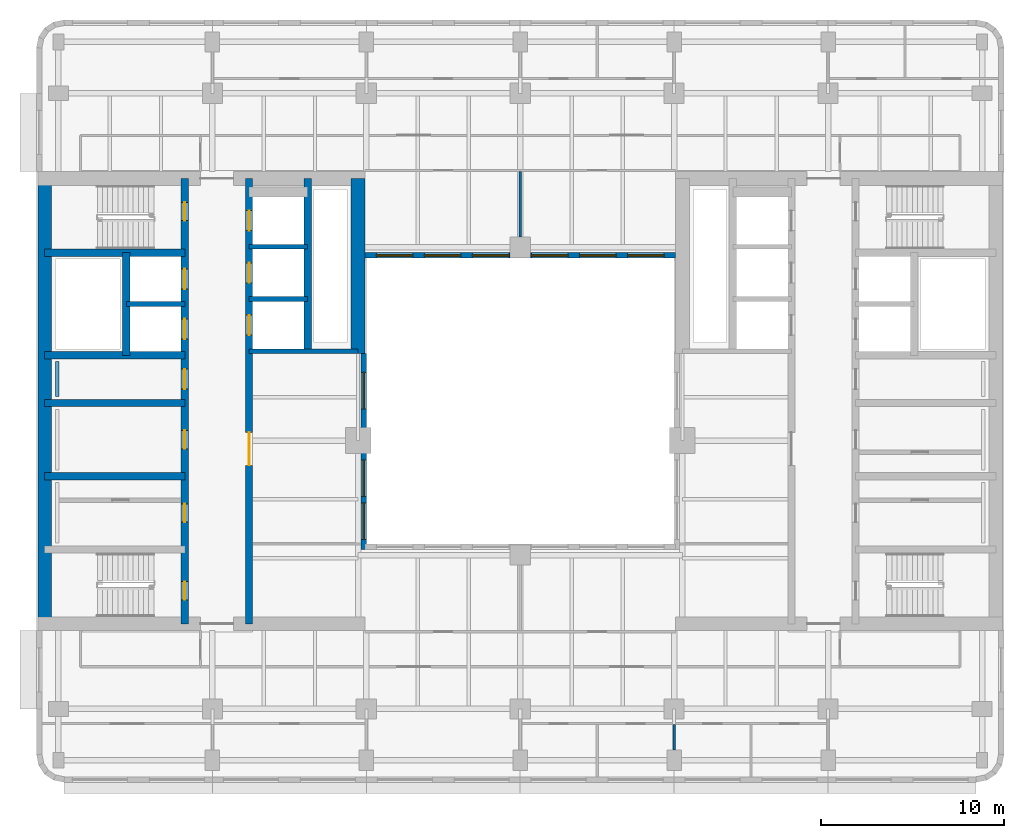
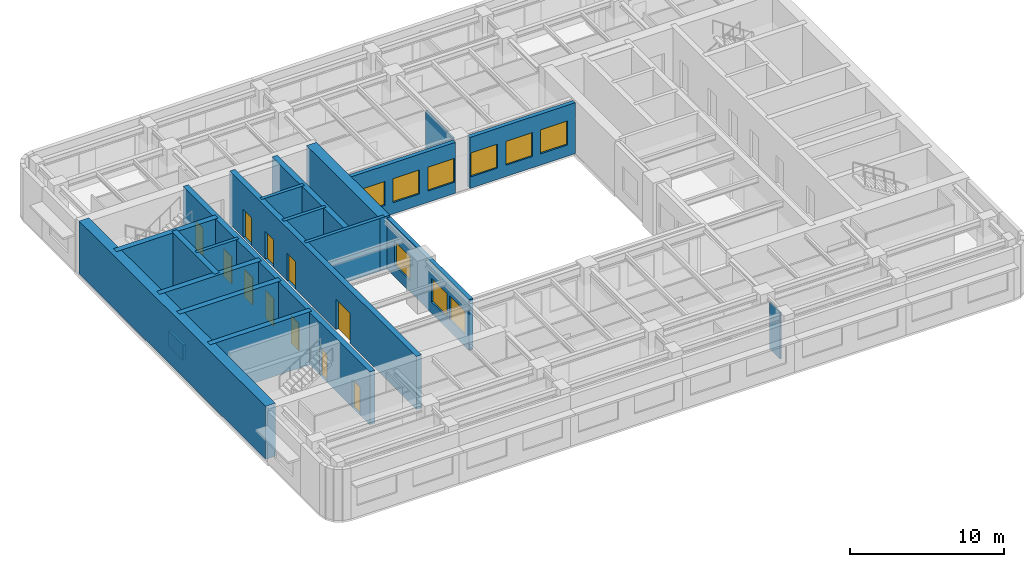
# One storey, part 4 of 11: 20 walls, 11 doors, 9 windows, 20 openings.
"""IFC4 building model written with IfcOpenShell, lengths in metres."""

import ifcopenshell
import ifcopenshell.guid

model = None  # the IFC model being written
_history = None  # IfcOwnerHistory: only IFC2X3 demands one
_inside = {}  # id of a spatial element -> (the spatial element, [elements in it])
_under = {}  # id of a project, library or spatial element -> (it, [spatial elements below it])
_declared = {}  # id of a project -> (the project, [libraries it declares])
_typed = {}  # id of a type object -> (the type object, [elements of that type])
_made_of = {}  # id of a material, layer set ... -> (it, [elements and type objects made of it])


def new_model(schema):
    """Start an empty IFC model of exactly this schema.

    Asked for "IFC4X3", IfcOpenShell would pick the latest addendum, in which some entities
    have other attributes; the version numbers below select the first issue.
    IFC2X3 requires an IfcOwnerHistory on every rooted entity: one is made here for all.
    """
    global model, _history
    if schema == "IFC4X3":
        model = ifcopenshell.file(schema_version=(4, 3, 0, 0))
    else:
        model = ifcopenshell.file(schema=schema)
    _inside.clear()
    _under.clear()
    _declared.clear()
    _typed.clear()
    _made_of.clear()
    _history = None
    if model.schema == "IFC2X3":
        org = make("IfcOrganization", Name="unknown")
        user = make(
            "IfcPersonAndOrganization",
            ThePerson=make("IfcPerson", FamilyName="unknown"),
            TheOrganization=org,
        )
        app = make(
            "IfcApplication",
            ApplicationDeveloper=org,
            Version="unknown",
            ApplicationFullName="unknown",
            ApplicationIdentifier="unknown",
        )
        _history = make(
            "IfcOwnerHistory",
            OwningUser=user,
            OwningApplication=app,
            ChangeAction="ADDED",
            CreationDate=0,
        )
    return model


def make(cls, **values):
    """One entity of the class cls with the attributes given. An attribute that is None is left unset."""
    return model.create_entity(
        cls, **{name: value for name, value in values.items() if value is not None}
    )


def rooted(cls, **values):
    """An entity with a GlobalId (a new one), such as an element, a storey or a relation."""
    return make(cls, GlobalId=ifcopenshell.guid.new(), OwnerHistory=_history, **values)


def si_unit(unit_type, name, prefix=None):
    """IfcSIUnit, for example si_unit("LENGTHUNIT", "METRE", prefix="MILLI")."""
    return make("IfcSIUnit", UnitType=unit_type, Prefix=prefix, Name=name)


def assignment(units):
    """IfcUnitAssignment: the units of a project."""
    return None if units is None else make("IfcUnitAssignment", Units=units)


def point(xyz):
    """IfcCartesianPoint."""
    return None if xyz is None else make("IfcCartesianPoint", Coordinates=xyz)


def direction(xyz):
    """IfcDirection."""
    return None if xyz is None else make("IfcDirection", DirectionRatios=xyz)


def frame(location, z_axis=None, x_axis=None):
    """IfcAxis2Placement3D, a coordinate frame: its origin and axes. An axis left out is left unset."""
    return make(
        "IfcAxis2Placement3D",
        Location=point(location),
        Axis=direction(z_axis),
        RefDirection=direction(x_axis),
    )


def frame_2d(location, x_axis=None):
    """IfcAxis2Placement2D, a coordinate frame in the plane: its origin and x axis."""
    return make(
        "IfcAxis2Placement2D", Location=point(location), RefDirection=direction(x_axis)
    )


def origin():
    """The frame at (0, 0, 0) with its axes left unset."""
    return frame((0.0, 0.0, 0.0))


def place(relative_to, where):
    """IfcLocalPlacement: puts the frame where relative to a parent placement (None: the world)."""
    return make(
        "IfcLocalPlacement", PlacementRelTo=relative_to, RelativePlacement=where
    )


def context(
    kind, dimensions, precision=None, world=None, true_north=None, identifier=None
):
    """IfcGeometricRepresentationContext, for example the 3D "Model" context."""
    return make(
        "IfcGeometricRepresentationContext",
        ContextIdentifier=identifier,
        ContextType=kind,
        CoordinateSpaceDimension=dimensions,
        Precision=precision,
        WorldCoordinateSystem=world,
        TrueNorth=true_north,
    )


def subcontext(parent, identifier, kind, view, scale=None):
    """IfcGeometricRepresentationSubContext, for example "Body" below "Model"."""
    return make(
        "IfcGeometricRepresentationSubContext",
        ContextIdentifier=identifier,
        ContextType=kind,
        ParentContext=parent,
        TargetScale=scale,
        TargetView=view,
    )


def project(units=None, contexts=None):
    """IfcProject with its units and contexts."""
    return rooted(
        "IfcProject",
        Name="project",
        RepresentationContexts=contexts,
        UnitsInContext=assignment(units),
    )


def spatial(cls, under=None, at=None, **own):
    """A site, building, storey or space (cls), placed at a placement, below another one or the project."""
    s = rooted(cls, ObjectPlacement=at, **own)
    if under is not None:
        _under.setdefault(under.id(), (under, []))[1].append(s)
    return s


def profile(cls, at=None, kind="AREA", **sizes):
    """A parametric profile (cls). Its sizes go by their IFC names, for example OverallWidth=200.0."""
    return make(cls, ProfileType=kind, Position=at, **sizes)


def rectangle(**sizes):
    """IfcRectangleProfileDef."""
    return profile("IfcRectangleProfileDef", **sizes)


def extrude(swept, where, along, depth):
    """IfcExtrudedAreaSolid: the profile swept, set in the frame where, extruded along a direction by depth."""
    return make(
        "IfcExtrudedAreaSolid",
        SweptArea=swept,
        Position=where,
        ExtrudedDirection=direction(along),
        Depth=depth,
    )


def shape(context_of_items, identifier, shape_type, items):
    """IfcShapeRepresentation: the items that make up one representation, for example the "Body"."""
    return make(
        "IfcShapeRepresentation",
        ContextOfItems=context_of_items,
        RepresentationIdentifier=identifier,
        RepresentationType=shape_type,
        Items=items,
    )


def material(Name=None, Category=None):
    """IfcMaterial."""
    return make("IfcMaterial", Name=Name, Category=Category)


def layer(
    of_material, thickness, ventilated=None, Name=None, Category=None, Priority=None
):
    """IfcMaterialLayer: one layer of a wall or slab, of a material (None: an air gap)."""
    return make(
        "IfcMaterialLayer",
        Material=of_material,
        LayerThickness=thickness,
        IsVentilated=ventilated,
        Name=Name,
        Category=Category,
        Priority=Priority,
    )


def layer_set(layers, Name=None):
    """IfcMaterialLayerSet."""
    return make("IfcMaterialLayerSet", MaterialLayers=layers, LayerSetName=Name)


def made_of(thing, what):
    """Note that an element or type object is made of a material, layer set ...; save() writes the relation."""
    if what is not None:
        _made_of.setdefault(what.id(), (what, []))[1].append(thing)
    return thing


def type_object(cls, material=None, **own):
    """A type object (cls), such as IfcWallType, which elements share."""
    return made_of(rooted(cls, **own), material)


def element(
    cls,
    number,
    at=None,
    inside=None,
    cuts=None,
    type_object=None,
    material=None,
    context=None,
    identifier="Body",
    shape_type=None,
    held_by="IfcProductDefinitionShape",
    body=None,
    shapes=None,
    **own,
):
    """One element of the class cls, such as IfcWall. Its Tag is "e" and its number.

    at: its placement. inside: the storey or other place that contains it. cuts: it is an
    opening in that element (IfcRelVoidsElement). A single representation is given by context,
    identifier, shape_type and body (its items); several are given by shapes. held_by: the class
    of the entity that holds the representations. save() writes the other relations.
    """
    e = rooted(cls, Tag="e%d" % number, ObjectPlacement=at, **own)
    if body is not None:
        shapes = [shape(context, identifier, shape_type, body)]
    if shapes is not None:
        e.Representation = make(held_by, Representations=shapes)
    if inside is not None:
        _inside.setdefault(inside.id(), (inside, []))[1].append(e)
    if cuts is not None:
        rooted(
            "IfcRelVoidsElement", RelatingBuildingElement=cuts, RelatedOpeningElement=e
        )
    if type_object is not None:
        _typed.setdefault(type_object.id(), (type_object, []))[1].append(e)
    return made_of(e, material)


def fill(opening, filler):
    """IfcRelFillsElement: the door or window that sits in an opening."""
    return rooted(
        "IfcRelFillsElement",
        RelatingOpeningElement=opening,
        RelatedBuildingElement=filler,
    )


def aggregate(whole, parts):
    """IfcRelAggregates: a whole, such as a stair, and the parts it consists of."""
    return rooted("IfcRelAggregates", RelatingObject=whole, RelatedObjects=parts)


def save(model, path):
    """Write the relations noted so far, then the file.

    IfcRelAggregates (storeys below a building ...), IfcRelContainedInSpatialStructure (elements
    in a storey), IfcRelDefinesByType, IfcRelAssociatesMaterial and IfcRelDeclares: one each for
    every whole, place, type object, material and project.
    """
    for whole, parts in _under.values():
        aggregate(whole, parts)
    for where, things in _inside.values():
        rooted(
            "IfcRelContainedInSpatialStructure",
            RelatedElements=things,
            RelatingStructure=where,
        )
    for kind, things in _typed.values():
        rooted("IfcRelDefinesByType", RelatedObjects=things, RelatingType=kind)
    for what, things in _made_of.values():
        rooted("IfcRelAssociatesMaterial", RelatedObjects=things, RelatingMaterial=what)
    for by, libraries in _declared.values():
        rooted("IfcRelDeclares", RelatingContext=by, RelatedDefinitions=libraries)
    model.write(path)


model = new_model("IFC4")

# Units and contexts
model_context = context("Model", 3, precision=1e-05, world=origin(), true_north=direction((0.0, 1.0)))
body_context = subcontext(model_context, "Body", "Model", "MODEL_VIEW")
ifc_project = project(units=[si_unit("LENGTHUNIT", "METRE"), si_unit("AREAUNIT", "SQUARE_METRE"), si_unit("VOLUMEUNIT", "CUBIC_METRE"), si_unit("PLANEANGLEUNIT", "RADIAN"), si_unit("MASSUNIT", "GRAM", prefix="KILO")], contexts=[model_context])

# Site, building, storey
site_placement = place(None, origin())
site = spatial("IfcSite", under=ifc_project, at=site_placement, CompositionType="ELEMENT")
building_placement = place(site_placement, origin())
building = spatial("IfcBuilding", under=site, at=building_placement, Name="Claustro Exchange Tower", CompositionType="ELEMENT")
storey_placement = place(building_placement, frame((0.0, 0.0, 228.0)))
storey = spatial("IfcBuildingStorey", under=building, at=storey_placement, Name="L52", CompositionType="ELEMENT", Elevation=228.0)

# Walls
ifc_material_1 = material(Name="Laminated glass in aluminium frame", Category="aluminium")
ifc_layer_1 = layer(ifc_material_1, 0.1201171875)
ifc_layer_set_1 = layer_set([ifc_layer_1], Name="Laminated glass in aluminium frame")
wall_type_1 = type_object("IfcWallType", Name="P2 120 glazed partition", PredefinedType="PARTITIONING", material=ifc_layer_set_1)
wall_1_placement = place(storey_placement, frame((33.60009765625, 6.14892578125, 0.0), z_axis=(0.0, 0.0, 1.0), x_axis=(0.0, 1.0, 0.0)))
element("IfcWall", 1, at=wall_1_placement, inside=storey, type_object=wall_type_1, Name="Partition P2 L52", PredefinedType="PARTITIONING", context=body_context, shape_type="SweptSolid", body=[
    extrude(rectangle(XDim=1.39306640625, YDim=0.1201171875, at=frame_2d((0.696533203125, 0.0))), origin(), (0.0, 0.0, 1.0), 3.68994140625),
])
wall_2_placement = place(storey_placement, frame((25.199951171875, 34.14892578125, 0.0), z_axis=(0.0, 0.0, 1.0), x_axis=(0.0, 1.0, 0.0)))
element("IfcWall", 2, at=wall_2_placement, inside=storey, type_object=wall_type_1, Name="Partition P2 L52", PredefinedType="PARTITIONING", context=body_context, shape_type="SweptSolid", body=[
    extrude(rectangle(XDim=3.593017578125, YDim=0.1201171875, at=frame_2d((1.79638671875, 0.0))), origin(), (0.0, 0.0, 1.0), 3.550048828125),
])

# Wall, openings, windows
ifc_material_2 = material(Name="Concrete HA-40 (C40/50), precast, white cement, acid-etched", Category="concrete")
ifc_layer_2 = layer(ifc_material_2, 0.300048828125)
ifc_layer_set_2 = layer_set([ifc_layer_2], Name="Concrete HA-40 (C40/50), precast, white cement, acid-etched")
wall_type_2 = type_object("IfcWallType", Name="PC1 300 precast concrete pier panel", PredefinedType="SOLIDWALL", material=ifc_layer_set_2)
wall_3_placement = place(storey_placement, frame((16.64990234375, 17.10009765625, 0.0), z_axis=(0.0, 0.0, 1.0), x_axis=(0.0, 1.0, 0.0)))
wall_3 = element("IfcWall", 3, at=wall_3_placement, inside=storey, type_object=wall_type_2, Name="Precast pier panel PC1 L52", PredefinedType="SOLIDWALL", context=body_context, shape_type="SweptSolid", body=[
    extrude(rectangle(XDim=10.699951171875, YDim=0.300048828125, at=frame_2d((5.35009765625, 0.0))), origin(), (0.0, 0.0, 1.0), 4.050048828125),
])
opening_1_placement = place(wall_3_placement, frame((0.550048828125, 0.0, 0.89990234375)))
opening_1 = element("IfcOpeningElement", 4, at=opening_1_placement, cuts=wall_3, Name="Opening W4", PredefinedType="OPENING", context=body_context, shape_type="SweptSolid", body=[
    extrude(rectangle(XDim=2.0, YDim=1.89990234375, at=frame_2d((1.0, 0.949951171875))), frame((0.0, 0.159912109375, 0.0), z_axis=(0.0, -1.0, 0.0), x_axis=(1.0, 0.0, 0.0)), (0.0, 0.0, 1.0), 0.320068359375),
])
opening_2_placement = place(wall_3_placement, frame((2.89990234375, 0.0, 0.89990234375)))
opening_2 = element("IfcOpeningElement", 5, at=opening_2_placement, cuts=wall_3, Name="Opening W4", PredefinedType="OPENING", context=body_context, shape_type="SweptSolid", body=[
    extrude(rectangle(XDim=2.0, YDim=1.89990234375, at=frame_2d((1.0, 0.949951171875))), frame((0.0, 0.159912109375, 0.0), z_axis=(0.0, -1.0, 0.0), x_axis=(1.0, 0.0, 0.0)), (0.0, 0.0, 1.0), 0.320068359375),
])
opening_3_placement = place(wall_3_placement, frame((7.675048828125, 0.0, 0.89990234375)))
opening_3 = element("IfcOpeningElement", 6, at=opening_3_placement, cuts=wall_3, Name="Opening W4", PredefinedType="OPENING", context=body_context, shape_type="SweptSolid", body=[
    extrude(rectangle(XDim=2.0, YDim=1.89990234375, at=frame_2d((1.0, 0.949951171875))), frame((0.0, 0.159912109375, 0.0), z_axis=(0.0, -1.0, 0.0), x_axis=(1.0, 0.0, 0.0)), (0.0, 0.0, 1.0), 0.320068359375),
])
ifc_material_3 = material(Name="Aluminium frame, clear double glazing", Category="aluminium")
window_type = type_object("IfcWindowType", Name="W4 2000 x 1900 light well window", PartitioningType="SINGLE_PANEL", PredefinedType="WINDOW", material=ifc_material_3)
window_1_placement = place(opening_1_placement, origin())
window_1 = element("IfcWindow", 7, at=window_1_placement, inside=storey, type_object=window_type, Name="Window W4 L52", OverallHeight=1.89990234375, OverallWidth=2.0, PartitioningType="SINGLE_PANEL", PredefinedType="WINDOW", context=body_context, shape_type="SweptSolid", body=[
    extrude(rectangle(XDim=2.0, YDim=1.89990234375, at=frame_2d((1.0, 0.949951171875))), frame((0.0, 0.030029296875, 0.0), z_axis=(0.0, -1.0, 0.0), x_axis=(1.0, 0.0, 0.0)), (0.0, 0.0, 1.0), 0.06005859375),
])
fill(opening_1, window_1)
window_2_placement = place(opening_2_placement, origin())
window_2 = element("IfcWindow", 8, at=window_2_placement, inside=storey, type_object=window_type, Name="Window W4 L52", OverallHeight=1.89990234375, OverallWidth=2.0, PartitioningType="SINGLE_PANEL", PredefinedType="WINDOW", context=body_context, shape_type="SweptSolid", body=[
    extrude(rectangle(XDim=2.0, YDim=1.89990234375, at=frame_2d((1.0, 0.949951171875))), frame((0.0, 0.030029296875, 0.0), z_axis=(0.0, -1.0, 0.0), x_axis=(1.0, 0.0, 0.0)), (0.0, 0.0, 1.0), 0.06005859375),
])
fill(opening_2, window_2)
window_3_placement = place(opening_3_placement, origin())
window_3 = element("IfcWindow", 9, at=window_3_placement, inside=storey, type_object=window_type, Name="Window W4 L52", OverallHeight=1.89990234375, OverallWidth=2.0, PartitioningType="SINGLE_PANEL", PredefinedType="WINDOW", context=body_context, shape_type="SweptSolid", body=[
    extrude(rectangle(XDim=2.0, YDim=1.89990234375, at=frame_2d((1.0, 0.949951171875))), frame((0.0, 0.030029296875, 0.0), z_axis=(0.0, -1.0, 0.0), x_axis=(1.0, 0.0, 0.0)), (0.0, 0.0, 1.0), 0.06005859375),
])
fill(opening_3, window_3)

wall_4_placement = place(storey_placement, frame((16.72509765625, 33.14990234375, 0.0), z_axis=(0.0, 0.0, 1.0), x_axis=(1.0, 0.0, 0.0)))
wall_4 = element("IfcWall", 10, at=wall_4_placement, inside=storey, type_object=wall_type_2, Name="Precast pier panel PC1 L52", PredefinedType="SOLIDWALL", context=body_context, shape_type="SweptSolid", body=[
    extrude(rectangle(XDim=7.9248046875, YDim=0.300048828125, at=frame_2d((3.96240234375, 0.0))), origin(), (0.0, 0.0, 1.0), 4.050048828125),
])
opening_4_placement = place(wall_4_placement, frame((0.61865234375, 0.0, 0.89990234375)))
opening_4 = element("IfcOpeningElement", 11, at=opening_4_placement, cuts=wall_4, Name="Opening W4", PredefinedType="OPENING", context=body_context, shape_type="SweptSolid", body=[
    extrude(rectangle(XDim=2.0, YDim=1.89990234375, at=frame_2d((1.0, 0.949951171875))), frame((0.0, 0.159912109375, 0.0), z_axis=(0.0, -1.0, 0.0), x_axis=(1.0, 0.0, 0.0)), (0.0, 0.0, 1.0), 0.320068359375),
])
opening_5_placement = place(wall_4_placement, frame((3.237548828125, 0.0, 0.89990234375)))
opening_5 = element("IfcOpeningElement", 12, at=opening_5_placement, cuts=wall_4, Name="Opening W4", PredefinedType="OPENING", context=body_context, shape_type="SweptSolid", body=[
    extrude(rectangle(XDim=2.0, YDim=1.89990234375, at=frame_2d((1.0, 0.949951171875))), frame((0.0, 0.159912109375, 0.0), z_axis=(0.0, -1.0, 0.0), x_axis=(1.0, 0.0, 0.0)), (0.0, 0.0, 1.0), 0.320068359375),
])
opening_6_placement = place(wall_4_placement, frame((5.856201171875, 0.0, 0.89990234375)))
opening_6 = element("IfcOpeningElement", 13, at=opening_6_placement, cuts=wall_4, Name="Opening W4", PredefinedType="OPENING", context=body_context, shape_type="SweptSolid", body=[
    extrude(rectangle(XDim=2.0, YDim=1.89990234375, at=frame_2d((1.0, 0.949951171875))), frame((0.0, 0.159912109375, 0.0), z_axis=(0.0, -1.0, 0.0), x_axis=(1.0, 0.0, 0.0)), (0.0, 0.0, 1.0), 0.320068359375),
])
window_4_placement = place(opening_4_placement, origin())
window_4 = element("IfcWindow", 14, at=window_4_placement, inside=storey, type_object=window_type, Name="Window W4 L52", OverallHeight=1.89990234375, OverallWidth=2.0, PartitioningType="SINGLE_PANEL", PredefinedType="WINDOW", context=body_context, shape_type="SweptSolid", body=[
    extrude(rectangle(XDim=2.0, YDim=1.89990234375, at=frame_2d((1.0, 0.949951171875))), frame((0.0, 0.030029296875, 0.0), z_axis=(0.0, -1.0, 0.0), x_axis=(1.0, 0.0, 0.0)), (0.0, 0.0, 1.0), 0.06005859375),
])
fill(opening_4, window_4)
window_5_placement = place(opening_5_placement, origin())
window_5 = element("IfcWindow", 15, at=window_5_placement, inside=storey, type_object=window_type, Name="Window W4 L52", OverallHeight=1.89990234375, OverallWidth=2.0, PartitioningType="SINGLE_PANEL", PredefinedType="WINDOW", context=body_context, shape_type="SweptSolid", body=[
    extrude(rectangle(XDim=2.0, YDim=1.89990234375, at=frame_2d((1.0, 0.949951171875))), frame((0.0, 0.030029296875, 0.0), z_axis=(0.0, -1.0, 0.0), x_axis=(1.0, 0.0, 0.0)), (0.0, 0.0, 1.0), 0.06005859375),
])
fill(opening_5, window_5)
window_6_placement = place(opening_6_placement, origin())
window_6 = element("IfcWindow", 16, at=window_6_placement, inside=storey, type_object=window_type, Name="Window W4 L52", OverallHeight=1.89990234375, OverallWidth=2.0, PartitioningType="SINGLE_PANEL", PredefinedType="WINDOW", context=body_context, shape_type="SweptSolid", body=[
    extrude(rectangle(XDim=2.0, YDim=1.89990234375, at=frame_2d((1.0, 0.949951171875))), frame((0.0, 0.030029296875, 0.0), z_axis=(0.0, -1.0, 0.0), x_axis=(1.0, 0.0, 0.0)), (0.0, 0.0, 1.0), 0.06005859375),
])
fill(opening_6, window_6)

wall_5_placement = place(storey_placement, frame((25.75, 33.14990234375, 0.0), z_axis=(0.0, 0.0, 1.0), x_axis=(1.0, 0.0, 0.0)))
wall_5 = element("IfcWall", 17, at=wall_5_placement, inside=storey, type_object=wall_type_2, Name="Precast pier panel PC1 L52", PredefinedType="SOLIDWALL", context=body_context, shape_type="SweptSolid", body=[
    extrude(rectangle(XDim=7.925048828125, YDim=0.300048828125, at=frame_2d((3.96240234375, 0.0))), origin(), (0.0, 0.0, 1.0), 4.050048828125),
])
opening_7_placement = place(wall_5_placement, frame((0.068603515625, 0.0, 0.89990234375)))
opening_7 = element("IfcOpeningElement", 18, at=opening_7_placement, cuts=wall_5, Name="Opening W4", PredefinedType="OPENING", context=body_context, shape_type="SweptSolid", body=[
    extrude(rectangle(XDim=2.0, YDim=1.89990234375, at=frame_2d((1.0, 0.949951171875))), frame((0.0, 0.159912109375, 0.0), z_axis=(0.0, -1.0, 0.0), x_axis=(1.0, 0.0, 0.0)), (0.0, 0.0, 1.0), 0.320068359375),
])
opening_8_placement = place(wall_5_placement, frame((2.6875, 0.0, 0.89990234375)))
opening_8 = element("IfcOpeningElement", 19, at=opening_8_placement, cuts=wall_5, Name="Opening W4", PredefinedType="OPENING", context=body_context, shape_type="SweptSolid", body=[
    extrude(rectangle(XDim=2.0, YDim=1.89990234375, at=frame_2d((1.0, 0.949951171875))), frame((0.0, 0.159912109375, 0.0), z_axis=(0.0, -1.0, 0.0), x_axis=(1.0, 0.0, 0.0)), (0.0, 0.0, 1.0), 0.320068359375),
])
opening_9_placement = place(wall_5_placement, frame((5.30615234375, 0.0, 0.89990234375)))
opening_9 = element("IfcOpeningElement", 20, at=opening_9_placement, cuts=wall_5, Name="Opening W4", PredefinedType="OPENING", context=body_context, shape_type="SweptSolid", body=[
    extrude(rectangle(XDim=2.0, YDim=1.89990234375, at=frame_2d((1.0, 0.949951171875))), frame((0.0, 0.159912109375, 0.0), z_axis=(0.0, -1.0, 0.0), x_axis=(1.0, 0.0, 0.0)), (0.0, 0.0, 1.0), 0.320068359375),
])
window_7_placement = place(opening_7_placement, origin())
window_7 = element("IfcWindow", 21, at=window_7_placement, inside=storey, type_object=window_type, Name="Window W4 L52", OverallHeight=1.89990234375, OverallWidth=2.0, PartitioningType="SINGLE_PANEL", PredefinedType="WINDOW", context=body_context, shape_type="SweptSolid", body=[
    extrude(rectangle(XDim=2.0, YDim=1.89990234375, at=frame_2d((1.0, 0.949951171875))), frame((0.0, 0.030029296875, 0.0), z_axis=(0.0, -1.0, 0.0), x_axis=(1.0, 0.0, 0.0)), (0.0, 0.0, 1.0), 0.06005859375),
])
fill(opening_7, window_7)
window_8_placement = place(opening_8_placement, origin())
window_8 = element("IfcWindow", 22, at=window_8_placement, inside=storey, type_object=window_type, Name="Window W4 L52", OverallHeight=1.89990234375, OverallWidth=2.0, PartitioningType="SINGLE_PANEL", PredefinedType="WINDOW", context=body_context, shape_type="SweptSolid", body=[
    extrude(rectangle(XDim=2.0, YDim=1.89990234375, at=frame_2d((1.0, 0.949951171875))), frame((0.0, 0.030029296875, 0.0), z_axis=(0.0, -1.0, 0.0), x_axis=(1.0, 0.0, 0.0)), (0.0, 0.0, 1.0), 0.06005859375),
])
fill(opening_8, window_8)
window_9_placement = place(opening_9_placement, origin())
window_9 = element("IfcWindow", 23, at=window_9_placement, inside=storey, type_object=window_type, Name="Window W4 L52", OverallHeight=1.89990234375, OverallWidth=2.0, PartitioningType="SINGLE_PANEL", PredefinedType="WINDOW", context=body_context, shape_type="SweptSolid", body=[
    extrude(rectangle(XDim=2.0, YDim=1.89990234375, at=frame_2d((1.0, 0.949951171875))), frame((0.0, 0.030029296875, 0.0), z_axis=(0.0, -1.0, 0.0), x_axis=(1.0, 0.0, 0.0)), (0.0, 0.0, 1.0), 0.06005859375),
])
fill(opening_9, window_9)

# Walls
ifc_material_4 = material(Name="Gypsum board on steel studs, tiled", Category="steel")
ifc_layer_3 = layer(ifc_material_4, 0.199951171875)
ifc_layer_set_3 = layer_set([ifc_layer_3], Name="Gypsum board on steel studs, tiled")
wall_type_3 = type_object("IfcWallType", Name="PW1 200 WC duct wall", PredefinedType="PLUMBINGWALL", material=ifc_layer_set_3)
wall_6_placement = place(storey_placement, frame((-0.074951171875, 25.449951171875, 0.0), z_axis=(0.0, 0.0, 1.0), x_axis=(0.0, 1.0, 0.0)))
element("IfcWall", 24, at=wall_6_placement, inside=storey, type_object=wall_type_3, Name="WC duct wall PW1 L52", PredefinedType="PLUMBINGWALL", context=body_context, shape_type="SweptSolid", body=[
    extrude(rectangle(XDim=1.900146484375, YDim=0.199951171875, at=frame_2d((0.9501953125, 0.0))), origin(), (0.0, 0.0, 1.0), 1.199951171875),
])
ifc_material_5 = material(Name="Concrete HA-70 (C70/85)", Category="concrete")
ifc_layer_4 = layer(ifc_material_5, 0.75)
ifc_layer_set_4 = layer_set([ifc_layer_4], Name="Concrete HA-70 (C70/85)")
wall_type_4 = type_object("IfcWallType", Name="SW2X 750 exposed core shear wall, board-marked face", PredefinedType="SHEAR", material=ifc_layer_set_4)
wall_7_placement = place(storey_placement, frame((-0.75, 13.050048828125, 0.0), z_axis=(0.0, 0.0, 1.0), x_axis=(0.0, 1.0, 0.0)))
element("IfcWall", 25, at=wall_7_placement, inside=storey, type_object=wall_type_4, Name="Core wall SW2X W core W face L52", PredefinedType="SHEAR", context=body_context, shape_type="SweptSolid", body=[
    extrude(rectangle(XDim=24.300048828125, YDim=0.75, at=frame_2d((12.14990234375, 0.0))), origin(), (0.0, 0.0, 1.0), 4.199951171875),
])
wall_8_placement = place(storey_placement, frame((16.35009765625, 27.800048828125, 0.0), z_axis=(0.0, 0.0, 1.0), x_axis=(0.0, 1.0, 0.0)))
element("IfcWall", 26, at=wall_8_placement, inside=storey, type_object=wall_type_4, Name="Core wall SW2X W core E face L52", PredefinedType="SHEAR", context=body_context, shape_type="SweptSolid", body=[
    extrude(rectangle(XDim=9.550048828125, YDim=0.75, at=frame_2d((4.77490234375, 0.0))), origin(), (0.0, 0.0, 1.0), 4.199951171875),
])

# Wall, openings, doors
ifc_material_6 = material(Name="Concrete HA-50 (C50/60)", Category="concrete")
ifc_layer_5 = layer(ifc_material_6, 0.39990234375)
ifc_layer_set_5 = layer_set([ifc_layer_5], Name="Concrete HA-50 (C50/60)")
wall_type_5 = type_object("IfcWallType", Name="SW4 400 internal core wall", PredefinedType="SHEAR", material=ifc_layer_set_5)
wall_9_placement = place(storey_placement, frame((6.89990234375, 13.050048828125, 0.0), z_axis=(0.0, 0.0, 1.0), x_axis=(0.0, 1.0, 0.0)))
wall_9 = element("IfcWall", 27, at=wall_9_placement, inside=storey, type_object=wall_type_5, Name="Internal core wall SW4 W core L52", PredefinedType="SHEAR", context=body_context, shape_type="SweptSolid", body=[
    extrude(rectangle(XDim=24.300048828125, YDim=0.39990234375, at=frame_2d((12.14990234375, 0.0))), origin(), (0.0, 0.0, 1.0), 4.199951171875),
])
opening_10_placement = place(wall_9_placement, frame((1.300048828125, 0.0, 0.0)))
opening_10 = element("IfcOpeningElement", 28, at=opening_10_placement, cuts=wall_9, Name="Opening D4", PredefinedType="OPENING", context=body_context, shape_type="SweptSolid", body=[
    extrude(rectangle(XDim=1.0, YDim=2.199951171875, at=frame_2d((0.5, 1.10009765625))), frame((0.0, 0.2099609375, 0.0), z_axis=(0.0, -1.0, 0.0), x_axis=(1.0, 0.0, 0.0)), (0.0, 0.0, 1.0), 0.419921875),
])
opening_11_placement = place(wall_9_placement, frame((22.0, 0.0, 0.0)))
opening_11 = element("IfcOpeningElement", 29, at=opening_11_placement, cuts=wall_9, Name="Opening D4", PredefinedType="OPENING", context=body_context, shape_type="SweptSolid", body=[
    extrude(rectangle(XDim=1.0, YDim=2.199951171875, at=frame_2d((0.5, 1.10009765625))), frame((0.0, 0.2099609375, 0.0), z_axis=(0.0, -1.0, 0.0), x_axis=(1.0, 0.0, 0.0)), (0.0, 0.0, 1.0), 0.419921875),
])
opening_12_placement = place(wall_9_placement, frame((5.550048828125, 0.0, 0.0)))
opening_12 = element("IfcOpeningElement", 30, at=opening_12_placement, cuts=wall_9, Name="Opening D1", PredefinedType="OPENING", context=body_context, shape_type="SweptSolid", body=[
    extrude(rectangle(XDim=1.0, YDim=2.199951171875, at=frame_2d((0.5, 1.10009765625))), frame((0.0, 0.2099609375, 0.0), z_axis=(0.0, -1.0, 0.0), x_axis=(1.0, 0.0, 0.0)), (0.0, 0.0, 1.0), 0.419921875),
])
opening_13_placement = place(wall_9_placement, frame((9.550048828125, 0.0, 0.0)))
opening_13 = element("IfcOpeningElement", 31, at=opening_13_placement, cuts=wall_9, Name="Opening D1", PredefinedType="OPENING", context=body_context, shape_type="SweptSolid", body=[
    extrude(rectangle(XDim=1.0, YDim=2.199951171875, at=frame_2d((0.5, 1.10009765625))), frame((0.0, 0.2099609375, 0.0), z_axis=(0.0, -1.0, 0.0), x_axis=(1.0, 0.0, 0.0)), (0.0, 0.0, 1.0), 0.419921875),
])
opening_14_placement = place(wall_9_placement, frame((12.800048828125, 0.0, 0.0)))
opening_14 = element("IfcOpeningElement", 32, at=opening_14_placement, cuts=wall_9, Name="Opening D10", PredefinedType="OPENING", context=body_context, shape_type="SweptSolid", body=[
    extrude(rectangle(XDim=1.10009765625, YDim=2.199951171875, at=frame_2d((0.550048828125, 1.10009765625))), frame((0.0, 0.2099609375, 0.0), z_axis=(0.0, -1.0, 0.0), x_axis=(1.0, 0.0, 0.0)), (0.0, 0.0, 1.0), 0.419921875),
])
opening_15_placement = place(wall_9_placement, frame((15.53759765625, 0.0, 0.0)))
opening_15 = element("IfcOpeningElement", 33, at=opening_15_placement, cuts=wall_9, Name="Opening LD", PredefinedType="OPENING", context=body_context, shape_type="SweptSolid", body=[
    extrude(rectangle(XDim=1.10009765625, YDim=2.199951171875, at=frame_2d((0.550048828125, 1.10009765625))), frame((0.0, 0.2099609375, 0.0), z_axis=(0.0, -1.0, 0.0), x_axis=(1.0, 0.0, 0.0)), (0.0, 0.0, 1.0), 0.419921875),
])
opening_16_placement = place(wall_9_placement, frame((18.262451171875, 0.0, 0.0)))
opening_16 = element("IfcOpeningElement", 34, at=opening_16_placement, cuts=wall_9, Name="Opening LD", PredefinedType="OPENING", context=body_context, shape_type="SweptSolid", body=[
    extrude(rectangle(XDim=1.10009765625, YDim=2.199951171875, at=frame_2d((0.550048828125, 1.10009765625))), frame((0.0, 0.2099609375, 0.0), z_axis=(0.0, -1.0, 0.0), x_axis=(1.0, 0.0, 0.0)), (0.0, 0.0, 1.0), 0.419921875),
])
ifc_material_7 = material(Name="Timber door, oak veneer", Category="wood")
door_type_1 = type_object("IfcDoorType", Name="D1 1000 x 2200 single door", OperationType="SINGLE_SWING_LEFT", PredefinedType="DOOR", material=ifc_material_7)
door_1_placement = place(opening_12_placement, origin())
door_1 = element("IfcDoor", 35, at=door_1_placement, inside=storey, type_object=door_type_1, Name="Door D1 L52", OperationType="SINGLE_SWING_RIGHT", OverallHeight=2.199951171875, OverallWidth=1.0, PredefinedType="DOOR", context=body_context, shape_type="SweptSolid", body=[
    extrude(rectangle(XDim=1.0, YDim=2.199951171875, at=frame_2d((0.5, 1.10009765625))), frame((0.0, 0.02490234375, 0.0), z_axis=(0.0, -1.0, 0.0), x_axis=(1.0, 0.0, 0.0)), (0.0, 0.0, 1.0), 0.050048828125),
])
fill(opening_12, door_1)
door_2_placement = place(opening_13_placement, origin())
door_2 = element("IfcDoor", 36, at=door_2_placement, inside=storey, type_object=door_type_1, Name="Door D1 L52", OperationType="SINGLE_SWING_RIGHT", OverallHeight=2.199951171875, OverallWidth=1.0, PredefinedType="DOOR", context=body_context, shape_type="SweptSolid", body=[
    extrude(rectangle(XDim=1.0, YDim=2.199951171875, at=frame_2d((0.5, 1.10009765625))), frame((0.0, 0.02490234375, 0.0), z_axis=(0.0, -1.0, 0.0), x_axis=(1.0, 0.0, 0.0)), (0.0, 0.0, 1.0), 0.050048828125),
])
fill(opening_13, door_2)
ifc_material_8 = material(Name="Timber door, oak veneer", Category="wood")
door_type_2 = type_object("IfcDoorType", Name="D10 1100 x 2200 accessible WC door", OperationType="SINGLE_SWING_LEFT", PredefinedType="DOOR", material=ifc_material_8)
door_3_placement = place(opening_14_placement, frame((1.10009765625, 0.0, 0.0), z_axis=(0.0, 0.0, 1.0), x_axis=(-1.0, 0.0, 0.0)))
door_3 = element("IfcDoor", 37, at=door_3_placement, inside=storey, type_object=door_type_2, Name="Accessible WC door D10 L52", OperationType="SINGLE_SWING_LEFT", OverallHeight=2.199951171875, OverallWidth=1.10009765625, PredefinedType="DOOR", context=body_context, shape_type="SweptSolid", body=[
    extrude(rectangle(XDim=1.10009765625, YDim=2.199951171875, at=frame_2d((0.550048828125, 1.10009765625))), frame((0.0, 0.02490234375, 0.0), z_axis=(0.0, -1.0, 0.0), x_axis=(1.0, 0.0, 0.0)), (0.0, 0.0, 1.0), 0.050048828125),
])
fill(opening_14, door_3)
ifc_material_9 = material(Name="Steel fire door, painted", Category="steel")
door_type_3 = type_object("IfcDoorType", Name="D4 1000 x 2200 fire-rated stair door", OperationType="SINGLE_SWING_LEFT", PredefinedType="DOOR", material=ifc_material_9)
door_4_placement = place(opening_10_placement, origin())
door_4 = element("IfcDoor", 38, at=door_4_placement, inside=storey, type_object=door_type_3, Name="Stair door D4 L52", OperationType="SINGLE_SWING_LEFT", OverallHeight=2.199951171875, OverallWidth=1.0, PredefinedType="DOOR", context=body_context, shape_type="SweptSolid", body=[
    extrude(rectangle(XDim=1.0, YDim=2.199951171875, at=frame_2d((0.5, 1.10009765625))), frame((0.0, 0.02490234375, 0.0), z_axis=(0.0, -1.0, 0.0), x_axis=(1.0, 0.0, 0.0)), (0.0, 0.0, 1.0), 0.050048828125),
])
fill(opening_10, door_4)
door_5_placement = place(opening_11_placement, origin())
door_5 = element("IfcDoor", 39, at=door_5_placement, inside=storey, type_object=door_type_3, Name="Stair door D4 L52", OperationType="SINGLE_SWING_RIGHT", OverallHeight=2.199951171875, OverallWidth=1.0, PredefinedType="DOOR", context=body_context, shape_type="SweptSolid", body=[
    extrude(rectangle(XDim=1.0, YDim=2.199951171875, at=frame_2d((0.5, 1.10009765625))), frame((0.0, 0.02490234375, 0.0), z_axis=(0.0, -1.0, 0.0), x_axis=(1.0, 0.0, 0.0)), (0.0, 0.0, 1.0), 0.050048828125),
])
fill(opening_11, door_5)
ifc_material_10 = material(Name="Stainless steel sliding door", Category="steel")
door_type_4 = type_object("IfcDoorType", Name="LD 1100 x 2200 lift landing door", OperationType="DOUBLE_DOOR_SLIDING", PredefinedType="DOOR", material=ifc_material_10)
door_6_placement = place(opening_15_placement, origin())
door_6 = element("IfcDoor", 40, at=door_6_placement, inside=storey, type_object=door_type_4, Name="Lift landing door LEW1 LD L52", OperationType="DOUBLE_DOOR_SLIDING", OverallHeight=2.199951171875, OverallWidth=1.10009765625, PredefinedType="DOOR", context=body_context, shape_type="SweptSolid", body=[
    extrude(rectangle(XDim=1.10009765625, YDim=2.199951171875, at=frame_2d((0.550048828125, 1.10009765625))), frame((0.0, 0.02490234375, 0.0), z_axis=(0.0, -1.0, 0.0), x_axis=(1.0, 0.0, 0.0)), (0.0, 0.0, 1.0), 0.050048828125),
])
fill(opening_15, door_6)
door_7_placement = place(opening_16_placement, origin())
door_7 = element("IfcDoor", 41, at=door_7_placement, inside=storey, type_object=door_type_4, Name="Lift landing door LEW2 LD L52", OperationType="DOUBLE_DOOR_SLIDING", OverallHeight=2.199951171875, OverallWidth=1.10009765625, PredefinedType="DOOR", context=body_context, shape_type="SweptSolid", body=[
    extrude(rectangle(XDim=1.10009765625, YDim=2.199951171875, at=frame_2d((0.550048828125, 1.10009765625))), frame((0.0, 0.02490234375, 0.0), z_axis=(0.0, -1.0, 0.0), x_axis=(1.0, 0.0, 0.0)), (0.0, 0.0, 1.0), 0.050048828125),
])
fill(opening_16, door_7)

wall_10_placement = place(storey_placement, frame((10.39990234375, 13.050048828125, 0.0), z_axis=(0.0, 0.0, 1.0), x_axis=(0.0, 1.0, 0.0)))
wall_10 = element("IfcWall", 42, at=wall_10_placement, inside=storey, type_object=wall_type_5, Name="Internal core wall SW4 W core L52", PredefinedType="SHEAR", context=body_context, shape_type="SweptSolid", body=[
    extrude(rectangle(XDim=24.300048828125, YDim=0.39990234375, at=frame_2d((12.14990234375, 0.0))), origin(), (0.0, 0.0, 1.0), 4.199951171875),
])
opening_17_placement = place(wall_10_placement, frame((15.75, 0.0, 0.0)))
opening_17 = element("IfcOpeningElement", 43, at=opening_17_placement, cuts=wall_10, Name="Opening LD", PredefinedType="OPENING", context=body_context, shape_type="SweptSolid", body=[
    extrude(rectangle(XDim=1.10009765625, YDim=2.199951171875, at=frame_2d((0.550048828125, 1.10009765625))), frame((0.0, 0.2099609375, 0.0), z_axis=(0.0, -1.0, 0.0), x_axis=(1.0, 0.0, 0.0)), (0.0, 0.0, 1.0), 0.419921875),
])
opening_18_placement = place(wall_10_placement, frame((18.60009765625, 0.0, 0.0)))
opening_18 = element("IfcOpeningElement", 44, at=opening_18_placement, cuts=wall_10, Name="Opening LD", PredefinedType="OPENING", context=body_context, shape_type="SweptSolid", body=[
    extrude(rectangle(XDim=1.10009765625, YDim=2.199951171875, at=frame_2d((0.550048828125, 1.10009765625))), frame((0.0, 0.2099609375, 0.0), z_axis=(0.0, -1.0, 0.0), x_axis=(1.0, 0.0, 0.0)), (0.0, 0.0, 1.0), 0.419921875),
])
opening_19_placement = place(wall_10_placement, frame((21.449951171875, 0.0, 0.0)))
opening_19 = element("IfcOpeningElement", 45, at=opening_19_placement, cuts=wall_10, Name="Opening LD", PredefinedType="OPENING", context=body_context, shape_type="SweptSolid", body=[
    extrude(rectangle(XDim=1.10009765625, YDim=2.199951171875, at=frame_2d((0.550048828125, 1.10009765625))), frame((0.0, 0.2099609375, 0.0), z_axis=(0.0, -1.0, 0.0), x_axis=(1.0, 0.0, 0.0)), (0.0, 0.0, 1.0), 0.419921875),
])
opening_20_placement = place(wall_10_placement, frame((8.64990234375, 0.0, 0.0)))
opening_20 = element("IfcOpeningElement", 46, at=opening_20_placement, cuts=wall_10, Name="Opening D3", PredefinedType="OPENING", context=body_context, shape_type="SweptSolid", body=[
    extrude(rectangle(XDim=1.800048828125, YDim=2.39990234375, at=frame_2d((0.89990234375, 1.199951171875))), frame((0.0, 0.2099609375, 0.0), z_axis=(0.0, -1.0, 0.0), x_axis=(1.0, 0.0, 0.0)), (0.0, 0.0, 1.0), 0.419921875),
])
ifc_material_11 = material(Name="Steel fire door, painted", Category="steel")
door_type_5 = type_object("IfcDoorType", Name="D3 1800 x 2400 fire-rated lobby double door", OperationType="DOUBLE_DOOR_SINGLE_SWING", PredefinedType="DOOR", material=ifc_material_11)
door_8_placement = place(opening_20_placement, frame((1.800048828125, 0.0, 0.0), z_axis=(0.0, 0.0, 1.0), x_axis=(-1.0, 0.0, 0.0)))
door_8 = element("IfcDoor", 47, at=door_8_placement, inside=storey, type_object=door_type_5, Name="Core zone door D3 L52", OperationType="DOUBLE_DOOR_SINGLE_SWING", OverallHeight=2.39990234375, OverallWidth=1.800048828125, PredefinedType="DOOR", context=body_context, shape_type="SweptSolid", body=[
    extrude(rectangle(XDim=1.800048828125, YDim=2.39990234375, at=frame_2d((0.89990234375, 1.199951171875))), frame((0.0, 0.02490234375, 0.0), z_axis=(0.0, -1.0, 0.0), x_axis=(1.0, 0.0, 0.0)), (0.0, 0.0, 1.0), 0.050048828125),
])
fill(opening_20, door_8)
door_9_placement = place(opening_17_placement, origin())
door_9 = element("IfcDoor", 48, at=door_9_placement, inside=storey, type_object=door_type_4, Name="Lift landing door LHW1 LD L52", OperationType="DOUBLE_DOOR_SLIDING", OverallHeight=2.199951171875, OverallWidth=1.10009765625, PredefinedType="DOOR", context=body_context, shape_type="SweptSolid", body=[
    extrude(rectangle(XDim=1.10009765625, YDim=2.199951171875, at=frame_2d((0.550048828125, 1.10009765625))), frame((0.0, 0.02490234375, 0.0), z_axis=(0.0, -1.0, 0.0), x_axis=(1.0, 0.0, 0.0)), (0.0, 0.0, 1.0), 0.050048828125),
])
fill(opening_17, door_9)
door_10_placement = place(opening_18_placement, origin())
door_10 = element("IfcDoor", 49, at=door_10_placement, inside=storey, type_object=door_type_4, Name="Lift landing door LHW2 LD L52", OperationType="DOUBLE_DOOR_SLIDING", OverallHeight=2.199951171875, OverallWidth=1.10009765625, PredefinedType="DOOR", context=body_context, shape_type="SweptSolid", body=[
    extrude(rectangle(XDim=1.10009765625, YDim=2.199951171875, at=frame_2d((0.550048828125, 1.10009765625))), frame((0.0, 0.02490234375, 0.0), z_axis=(0.0, -1.0, 0.0), x_axis=(1.0, 0.0, 0.0)), (0.0, 0.0, 1.0), 0.050048828125),
])
fill(opening_18, door_10)
door_11_placement = place(opening_19_placement, origin())
door_11 = element("IfcDoor", 50, at=door_11_placement, inside=storey, type_object=door_type_4, Name="Lift landing door LSW1 LD L52", OperationType="DOUBLE_DOOR_SLIDING", OverallHeight=2.199951171875, OverallWidth=1.10009765625, PredefinedType="DOOR", context=body_context, shape_type="SweptSolid", body=[
    extrude(rectangle(XDim=1.10009765625, YDim=2.199951171875, at=frame_2d((0.550048828125, 1.10009765625))), frame((0.0, 0.02490234375, 0.0), z_axis=(0.0, -1.0, 0.0), x_axis=(1.0, 0.0, 0.0)), (0.0, 0.0, 1.0), 0.050048828125),
])
fill(opening_19, door_11)

# Walls
wall_11_placement = place(storey_placement, frame((13.60009765625, 27.925048828125, 0.0), z_axis=(0.0, 0.0, 1.0), x_axis=(0.0, 1.0, 0.0)))
element("IfcWall", 51, at=wall_11_placement, inside=storey, type_object=wall_type_5, Name="Internal core wall SW4 W core L52", PredefinedType="SHEAR", context=body_context, shape_type="SweptSolid", body=[
    extrude(rectangle(XDim=9.425048828125, YDim=0.39990234375, at=frame_2d((4.71240234375, 0.0))), origin(), (0.0, 0.0, 1.0), 4.199951171875),
])
for number, where, z_axis, x_axis, name in (
    (52, (-0.75, 21.10009765625, 0.0), (0.0, 0.0, 1.0), (1.0, 0.0, 0.0), "Internal core wall SW4 W core L52"),
    (53, (-0.75, 25.10009765625, 0.0), (0.0, 0.0, 1.0), (1.0, 0.0, 0.0), "Internal core wall SW4 W core L52"),
    (54, (-0.75, 27.699951171875, 0.0), (0.0, 0.0, 1.0), (1.0, 0.0, 0.0), "Internal core wall SW4 W core L52"),
    (55, (-0.75, 33.300048828125, 0.0), (0.0, 0.0, 1.0), (1.0, 0.0, 0.0), "Internal core wall SW4 W core L52"),
):
    element("IfcWall", number, at=place(storey_placement, frame(where, z_axis=z_axis, x_axis=x_axis)), inside=storey, type_object=wall_type_5, Name=name, PredefinedType="SHEAR", context=body_context, shape_type="SweptSolid", body=[
        extrude(rectangle(XDim=7.64990234375, YDim=0.39990234375, at=frame_2d((3.824951171875, 0.0))), origin(), (0.0, 0.0, 1.0), 4.199951171875),
    ])
wall_12_placement = place(storey_placement, frame((3.699951171875, 27.699951171875, 0.0), z_axis=(0.0, 0.0, 1.0), x_axis=(0.0, 1.0, 0.0)))
element("IfcWall", 56, at=wall_12_placement, inside=storey, type_object=wall_type_5, Name="Internal core wall SW4 W core L52", PredefinedType="SHEAR", context=body_context, shape_type="SweptSolid", body=[
    extrude(rectangle(XDim=5.60009765625, YDim=0.39990234375, at=frame_2d((2.800048828125, 0.0))), origin(), (0.0, 0.0, 1.0), 4.199951171875),
])
ifc_material_12 = material(Name="Concrete HA-50 (C50/60)", Category="concrete")
ifc_layer_6 = layer(ifc_material_12, 0.25)
ifc_layer_set_6 = layer_set([ifc_layer_6], Name="Concrete HA-50 (C50/60)")
wall_type_6 = type_object("IfcWallType", Name="SW5 250 lift shaft divider wall", PredefinedType="SHEAR", material=ifc_layer_set_6)
wall_13_placement = place(storey_placement, frame((3.699951171875, 30.5, 0.0), z_axis=(0.0, 0.0, 1.0), x_axis=(1.0, 0.0, 0.0)))
element("IfcWall", 57, at=wall_13_placement, inside=storey, type_object=wall_type_6, Name="Lift shaft wall W core L52", PredefinedType="SHEAR", context=body_context, shape_type="SweptSolid", body=[
    extrude(rectangle(XDim=3.199951171875, YDim=0.25, at=frame_2d((1.60009765625, 0.0))), origin(), (0.0, 0.0, 1.0), 4.199951171875),
])
wall_14_placement = place(storey_placement, frame((10.39990234375, 27.925048828125, 0.0), z_axis=(0.0, 0.0, 1.0), x_axis=(1.0, 0.0, 0.0)))
element("IfcWall", 58, at=wall_14_placement, inside=storey, type_object=wall_type_6, Name="Core step wall W core L52", PredefinedType="SHEAR", context=body_context, shape_type="SweptSolid", body=[
    extrude(rectangle(XDim=5.9501953125, YDim=0.25, at=frame_2d((2.97509765625, 0.0))), origin(), (0.0, 0.0, 1.0), 4.199951171875),
])
for number, where, z_axis, x_axis, name in (
    (59, (10.39990234375, 30.77490234375, 0.0), (0.0, 0.0, 1.0), (1.0, 0.0, 0.0), "Lift shaft wall W core L52"),
    (60, (10.39990234375, 33.625, 0.0), (0.0, 0.0, 1.0), (1.0, 0.0, 0.0), "Lift shaft wall W core L52"),
):
    element("IfcWall", number, at=place(storey_placement, frame(where, z_axis=z_axis, x_axis=x_axis)), inside=storey, type_object=wall_type_6, Name=name, PredefinedType="SHEAR", context=body_context, shape_type="SweptSolid", body=[
        extrude(rectangle(XDim=3.2001953125, YDim=0.25, at=frame_2d((1.60009765625, 0.0))), origin(), (0.0, 0.0, 1.0), 4.199951171875),
    ])

save(model, "model.ifc")
